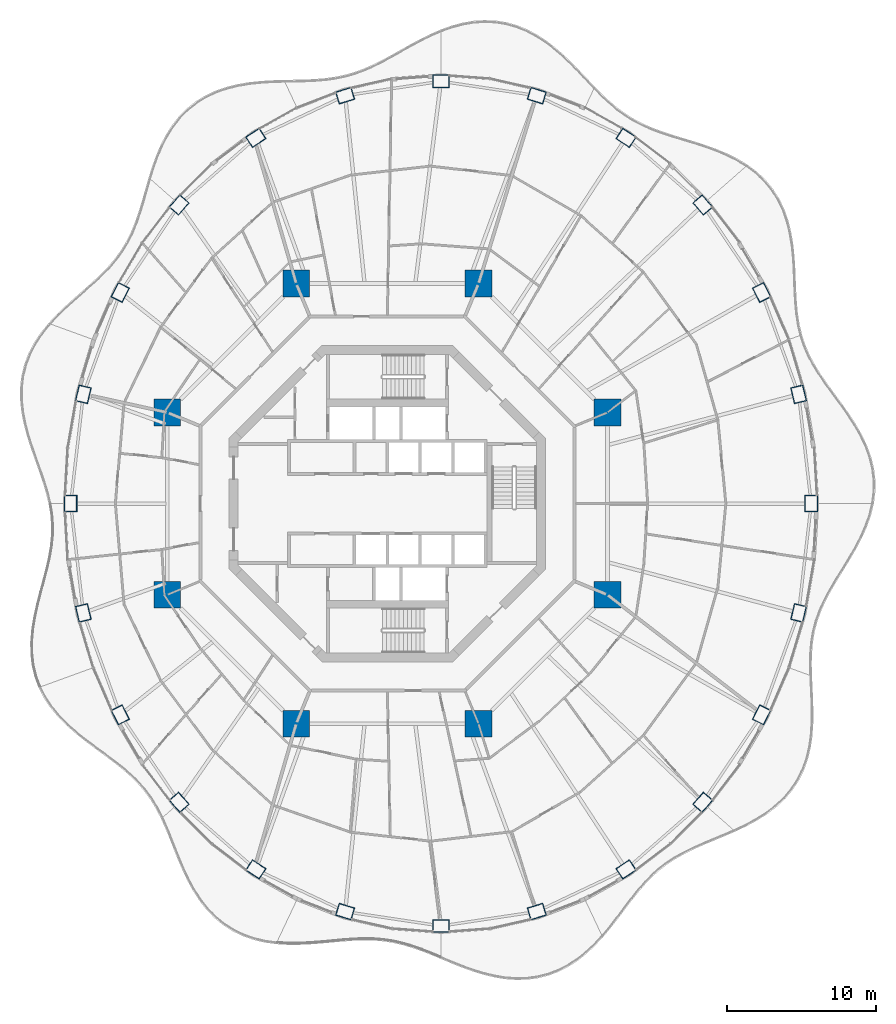
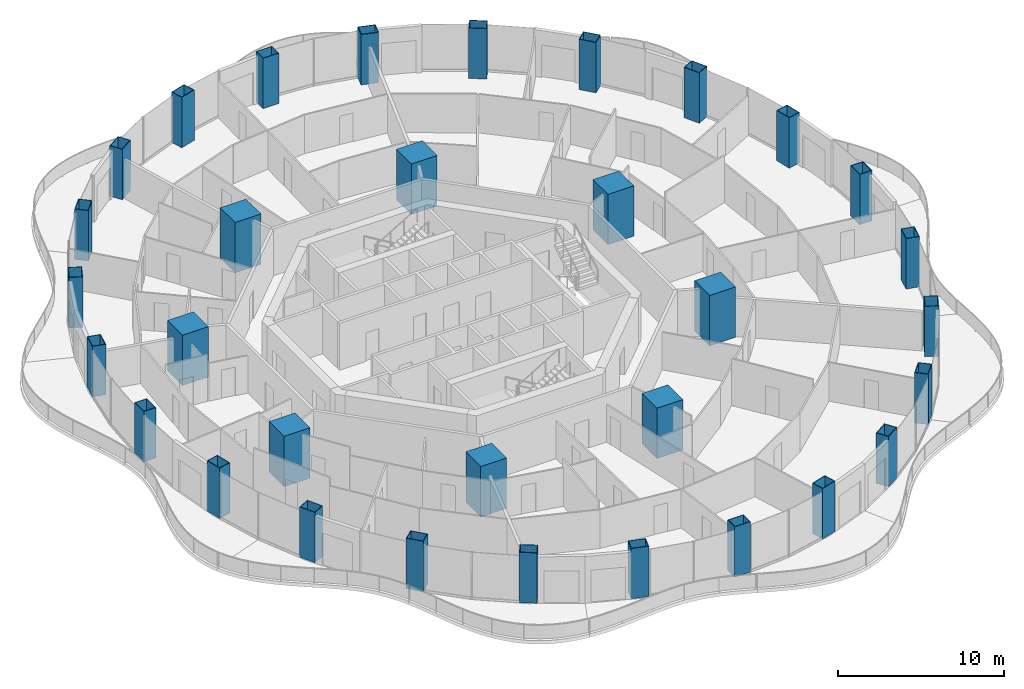
# One storey, part 1 of 19: 32 columns.
"""IFC4 building model written with IfcOpenShell, lengths in metres."""

from ifc_helpers import new_model, si_unit, direction, frame, origin, origin_2d, place, context, subcontext, project, spatial, rectangle, hollow_rectangle, extrude, material, material_profile, profile_set, type_object, element, save


model = new_model("IFC4")

# Units and contexts
model_context = context("Model", 3, precision=1e-05, world=origin(), true_north=direction((0.0, 1.0)))
body_context = subcontext(model_context, "Body", "Model", "MODEL_VIEW")
ifc_project = project(units=[si_unit("LENGTHUNIT", "METRE"), si_unit("AREAUNIT", "SQUARE_METRE"), si_unit("VOLUMEUNIT", "CUBIC_METRE"), si_unit("PLANEANGLEUNIT", "RADIAN"), si_unit("MASSUNIT", "GRAM", prefix="KILO")], contexts=[model_context])

# Site, building, storey
site_placement = place(None, origin())
site = spatial("IfcSite", under=ifc_project, at=site_placement, CompositionType="ELEMENT")
building_placement = place(site_placement, origin())
building = spatial("IfcBuilding", under=site, at=building_placement, Name="Nagisa Residences", CompositionType="ELEMENT")
storey_placement = place(building_placement, frame((0.0, 0.0, 184.39990234375)))
storey = spatial("IfcBuildingStorey", under=building, at=storey_placement, Name="L46", CompositionType="ELEMENT", Elevation=184.39990234375)

# Columns
ifc_material_1 = material(Name="Concrete C80", Category="concrete")
ifc_material_profile_1 = material_profile(ifc_material_1, rectangle(XDim=1.800048828125, YDim=1.800048828125, at=origin_2d()), Name="C80 1800x1800")
ifc_profile_set_1 = profile_set([ifc_material_profile_1], Name="Concrete C80")
column_type_1 = type_object("IfcColumnType", Name="Inner megacolumn C80 1800x1800", PredefinedType="COLUMN", material=ifc_profile_set_1)
for number, where, z_axis, x_axis, name in (
    (1, (14.781982421875, 6.123046875, 0.0), (0.0, 0.0, 1.0), (1.0, 0.0, 0.0), "col:L46:i1"),
    (2, (6.123046875, 14.781982421875, 0.0), (0.0, 0.0, 1.0), (1.0, 0.0, 0.0), "col:L46:i2"),
    (3, (-6.123046875, 14.781982421875, 0.0), (0.0, 0.0, 1.0), (1.0, 0.0, 0.0), "col:L46:i3"),
    (4, (-14.781982421875, 6.123046875, 0.0), (0.0, 0.0, 1.0), (1.0, 0.0, 0.0), "col:L46:i4"),
    (5, (-14.781982421875, -6.123046875, 0.0), (0.0, 0.0, 1.0), (1.0, 0.0, 0.0), "col:L46:i5"),
    (6, (-6.123046875, -14.781982421875, 0.0), (0.0, 0.0, 1.0), (1.0, 0.0, 0.0), "col:L46:i6"),
    (7, (6.123046875, -14.781982421875, 0.0), (0.0, 0.0, 1.0), (1.0, 0.0, 0.0), "col:L46:i7"),
    (8, (14.781982421875, -6.123046875, 0.0), (0.0, 0.0, 1.0), (1.0, 0.0, 0.0), "col:L46:i8"),
):
    element("IfcColumn", number, at=place(storey_placement, frame(where, z_axis=z_axis, x_axis=x_axis)), inside=storey, type_object=column_type_1, Name=name, PredefinedType="COLUMN", context=body_context, shape_type="SweptSolid", body=[
        extrude(rectangle(XDim=1.800048828125, YDim=1.800048828125, at=origin_2d()), origin(), (0.0, 0.0, 1.0), 3.7001953125),
    ])
ifc_material_2 = material(Name="Steel ASTM A572 Gr 50", Category="steel")
ifc_material_profile_2 = material_profile(ifc_material_2, hollow_rectangle(XDim=1.10009765625, YDim=0.85009765625, WallThickness=0.035888671875, at=origin_2d()), Name="BX 1100x850x36")
ifc_profile_set_2 = profile_set([ifc_material_profile_2], Name="Steel ASTM A572 Gr 50")
column_type_2 = type_object("IfcColumnType", Name="Perimeter column BX 1100x850x36", PredefinedType="COLUMN", material=ifc_profile_set_2)
for number, where, z_axis, x_axis, name in (
    (9, (28.47509765625, 0.0, 0.0), (0.0, 0.0, 1.0), (0.0, 1.0, 0.0), "col:L46:p00"),
    (10, (27.62744140625, 7.343994140625, 0.0), (0.0, 0.0, 1.0), (-0.229202013103, 0.973378876486, 0.0), "col:L46:p01"),
    (11, (25.142333984375, 14.1875, 0.0), (0.0, 0.0, 1.0), (-0.452462697578, 0.891783329795, 0.0), "col:L46:p02"),
    (12, (21.189208984375, 20.064208984375, 0.0), (0.0, 0.0, 1.0), (-0.660114607735, 0.751164898445, 0.0), "col:L46:p03"),
    (13, (16.03759765625, 24.573486328125, 0.0), (0.0, 0.0, 1.0), (-0.835766105673, 0.54908561865, 0.0), "col:L46:p04"),
    (14, (10.0380859375, 27.408203125, 0.0), (0.0, 0.0, 1.0), (-0.956524583408, 0.291651712384, 0.0), "col:L46:p05"),
    (15, (3.60009765625, 28.375, 0.0), (0.0, 0.0, 1.0), (-1.0, 0.0, 0.0), "col:L46:p06"),
    (16, (-2.838134765625, 27.408203125, 0.0), (0.0, 0.0, 1.0), (-0.956524583408, -0.291651712384, 0.0), "col:L46:p07"),
    (17, (-8.83740234375, 24.573486328125, 0.0), (0.0, 0.0, 1.0), (-0.835766105673, -0.54908561865, 0.0), "col:L46:p08"),
    (18, (-13.9892578125, 20.064208984375, 0.0), (0.0, 0.0, 1.0), (-0.660114607735, -0.751164898445, 0.0), "col:L46:p09"),
    (19, (-17.9423828125, 14.1875, 0.0), (0.0, 0.0, 1.0), (-0.452462697578, -0.891783329795, 0.0), "col:L46:p10"),
    (20, (-20.427490234375, 7.343994140625, 0.0), (0.0, 0.0, 1.0), (-0.229202013103, -0.973378876486, 0.0), "col:L46:p11"),
    (21, (-21.27490234375, 0.0, 0.0), (0.0, 0.0, 1.0), (0.0, -1.0, 0.0), "col:L46:p12"),
    (22, (-20.427490234375, -7.343994140625, 0.0), (0.0, 0.0, 1.0), (0.229202013103, -0.973378876486, 0.0), "col:L46:p13"),
    (23, (-17.9423828125, -14.1875, 0.0), (0.0, 0.0, 1.0), (0.452462697578, -0.891783329795, 0.0), "col:L46:p14"),
    (24, (-13.9892578125, -20.064208984375, 0.0), (0.0, 0.0, 1.0), (0.660114607735, -0.751164898445, 0.0), "col:L46:p15"),
    (25, (-8.83740234375, -24.573486328125, 0.0), (0.0, 0.0, 1.0), (0.835766105673, -0.54908561865, 0.0), "col:L46:p16"),
    (26, (-2.838134765625, -27.408203125, 0.0), (0.0, 0.0, 1.0), (0.956524583408, -0.291651712384, 0.0), "col:L46:p17"),
    (27, (3.60009765625, -28.375, 0.0), (0.0, 0.0, 1.0), (1.0, 0.0, 0.0), "col:L46:p18"),
    (28, (10.0380859375, -27.408203125, 0.0), (0.0, 0.0, 1.0), (0.956524583408, 0.291651712384, 0.0), "col:L46:p19"),
    (29, (16.03759765625, -24.573486328125, 0.0), (0.0, 0.0, 1.0), (0.835766105673, 0.54908561865, 0.0), "col:L46:p20"),
    (30, (21.189208984375, -20.064208984375, 0.0), (0.0, 0.0, 1.0), (0.660114607735, 0.751164898445, 0.0), "col:L46:p21"),
    (31, (25.142333984375, -14.1875, 0.0), (0.0, 0.0, 1.0), (0.452462697578, 0.891783329795, 0.0), "col:L46:p22"),
    (32, (27.62744140625, -7.343994140625, 0.0), (0.0, 0.0, 1.0), (0.229202013103, 0.973378876486, 0.0), "col:L46:p23"),
):
    element("IfcColumn", number, at=place(storey_placement, frame(where, z_axis=z_axis, x_axis=x_axis)), inside=storey, type_object=column_type_2, Name=name, PredefinedType="COLUMN", context=body_context, shape_type="SweptSolid", body=[
        extrude(hollow_rectangle(XDim=1.10009765625, YDim=0.85009765625, WallThickness=0.035888671875, at=origin_2d()), origin(), (0.0, 0.0, 1.0), 3.7001953125),
    ])

save(model, "model.ifc")
